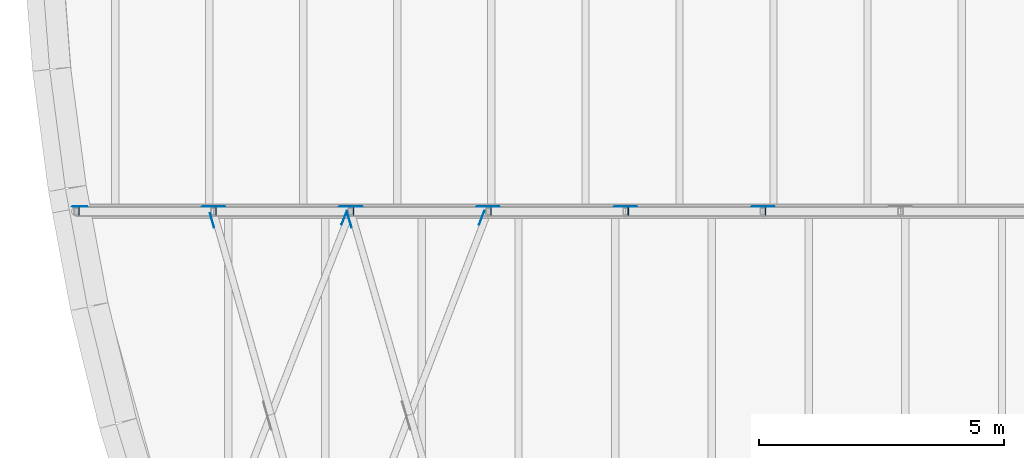
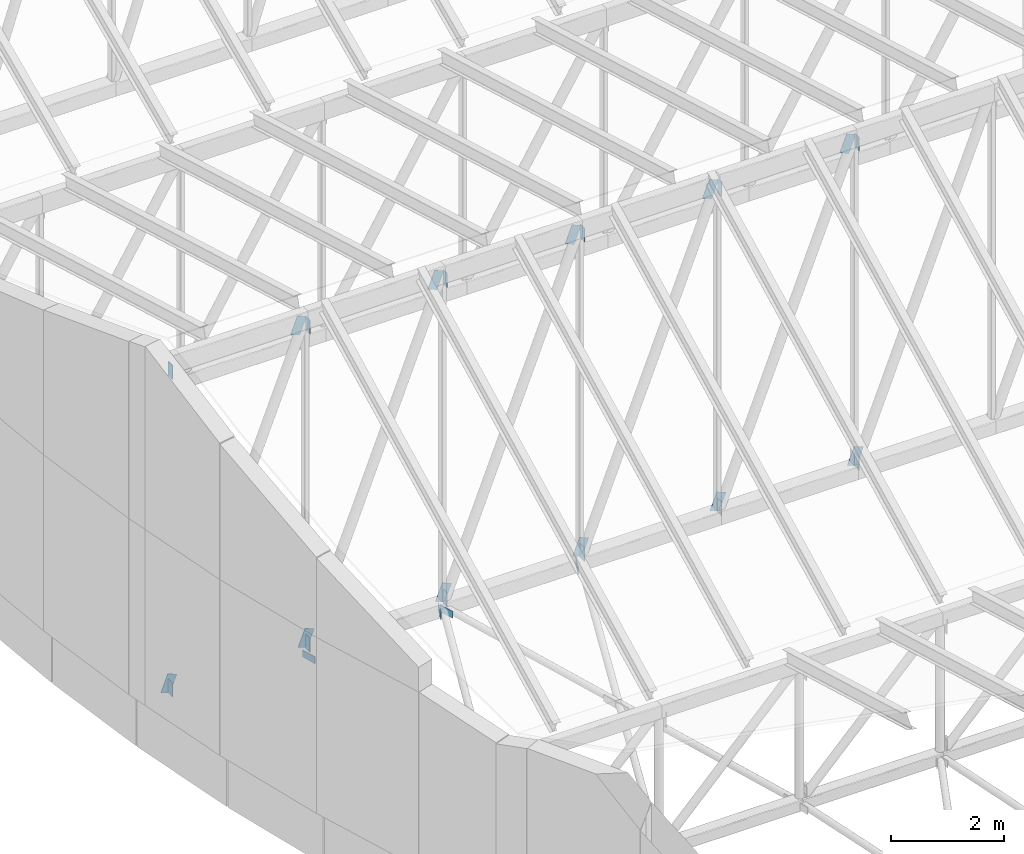
# One storey, part 48 of 68: 27 discrete accessories.
"""IFC4 building model written with IfcOpenShell, lengths in metres."""

from ifc_helpers import new_model, si_unit, direction, frame, origin, origin_2d, place, context, subcontext, project, spatial, rectangle, extrude, material, material_profile, profile_set, type_object, element, save


model = new_model("IFC4")

# Units and contexts
model_context = context("Model", 3, precision=1e-05, world=origin(), true_north=direction((0.0, 1.0)))
body_context = subcontext(model_context, "Body", "Model", "MODEL_VIEW")
ifc_project = project(units=[si_unit("LENGTHUNIT", "METRE"), si_unit("AREAUNIT", "SQUARE_METRE"), si_unit("VOLUMEUNIT", "CUBIC_METRE"), si_unit("PLANEANGLEUNIT", "RADIAN"), si_unit("MASSUNIT", "GRAM", prefix="KILO")], contexts=[model_context])

# Site, building, storey
site_placement = place(None, origin())
site = spatial("IfcSite", under=ifc_project, at=site_placement, CompositionType="ELEMENT")
building_placement = place(site_placement, origin())
building = spatial("IfcBuilding", under=site, at=building_placement, Name="Larchfold Concert Hall", CompositionType="ELEMENT")
storey_placement = place(building_placement, frame((0.0, 0.0, 28.800048828125)))
storey = spatial("IfcBuildingStorey", under=building, at=storey_placement, Name="L06", CompositionType="ELEMENT", Elevation=28.800048828125)

# Discrete accessories
ifc_material_1 = material(Name="Steel S355 galvanised bracket", Category="steel")
ifc_material_profile_1 = material_profile(ifc_material_1, rectangle(XDim=0.011962890625, YDim=0.14990234375, at=origin_2d()))
ifc_profile_set_1 = profile_set([ifc_material_profile_1], Name="Steel S355 galvanised bracket")
discrete_accessory_type_1 = type_object("IfcDiscreteAccessoryType", Name="Gusset plate 12x150", PredefinedType="BRACKET", material=ifc_profile_set_1)
for number, where, z_axis, x_axis, name in (
    (1, (18.8203125, 76.800048828125, 7.179931640625), (0.0, 0.0, -1.0), (1.0, 0.0, 0.0), "Gusset plate GP0235"),
    (2, (18.8203125, 76.800048828125, 0.320068359375), (0.0, 0.0, -1.0), (1.0, 0.0, 0.0), "Gusset plate GP0236"),
    (3, (21.62451171875, 76.800048828125, 7.179931640625), (0.0, 0.0, -1.0), (1.0, 0.0, 0.0), "Gusset plate GP0237"),
    (4, (21.62451171875, 76.800048828125, 0.300048828125), (0.0, 0.0, -1.0), (1.0, 0.0, 0.0), "Gusset plate GP0238"),
    (5, (24.4287109375, 76.800048828125, 7.199951171875), (0.0, 0.0, -1.0), (1.0, 0.0, 0.0), "Gusset plate GP0239"),
    (6, (24.4287109375, 76.800048828125, 0.300048828125), (0.0, 0.0, -1.0), (1.0, 0.0, 0.0), "Gusset plate GP0240"),
    (7, (27.23291015625, 76.800048828125, 7.199951171875), (0.0, 0.0, -1.0), (1.0, 0.0, 0.0), "Gusset plate GP0241"),
    (8, (27.23291015625, 76.800048828125, 0.300048828125), (0.0, 0.0, -1.0), (1.0, 0.0, 0.0), "Gusset plate GP0242"),
    (9, (30.037109375, 76.800048828125, 7.199951171875), (0.0, 0.0, -1.0), (1.0, 0.0, 0.0), "Gusset plate GP0243"),
    (10, (30.037109375, 76.800048828125, 0.300048828125), (0.0, 0.0, -1.0), (1.0, 0.0, 0.0), "Gusset plate GP0244"),
    (11, (32.84130859375, 76.800048828125, 7.199951171875), (0.0, 0.0, -1.0), (1.0, 0.0, 0.0), "Gusset plate GP0245"),
    (12, (32.84130859375, 76.800048828125, 0.300048828125), (0.0, 0.0, -1.0), (1.0, 0.0, 0.0), "Gusset plate GP0246"),
):
    element("IfcDiscreteAccessory", number, at=place(storey_placement, frame(where, z_axis=z_axis, x_axis=x_axis)), inside=storey, type_object=discrete_accessory_type_1, Name=name, PredefinedType="BRACKET", context=body_context, shape_type="SweptSolid", body=[
        extrude(rectangle(XDim=0.011962890625, YDim=0.14990234375, at=origin_2d()), origin(), (0.0, 0.0, 1.0), 0.300048828125),
    ])
discrete_accessory_1_placement = place(storey_placement, frame((24.185302734375, 76.530029296875, 0.0), z_axis=(0.36562717803, 0.930761390844, 0.0), x_axis=(-0.930761390844, 0.36562717803, 0.0)))
element("IfcDiscreteAccessory", 13, at=discrete_accessory_1_placement, inside=storey, type_object=discrete_accessory_type_1, Name="Gusset plate GP0578", PredefinedType="BRACKET", context=body_context, shape_type="SweptSolid", body=[
    extrude(rectangle(XDim=0.011962890625, YDim=0.14990234375, at=origin_2d()), origin(), (0.0, 0.0, 1.0), 0.2998046875),
])
discrete_accessory_2_placement = place(storey_placement, frame((21.582763671875, 76.471435546875, 0.0), z_axis=(-0.272464540386, 0.962165824706, 0.0), x_axis=(-0.962165824706, -0.272464540386, 0.0)))
element("IfcDiscreteAccessory", 14, at=discrete_accessory_2_placement, inside=storey, type_object=discrete_accessory_type_1, Name="Gusset plate GP0582", PredefinedType="BRACKET", context=body_context, shape_type="SweptSolid", body=[
    extrude(rectangle(XDim=0.011962890625, YDim=0.14990234375, at=origin_2d()), origin(), (0.0, 0.0, 1.0), 0.30029296875),
])
for number, where, z_axis, x_axis, name in (
    (15, (26.9912109375, 76.528564453125, 0.0), (0.359578666426, 0.93311477464, 0.0), (-0.93311477464, 0.359578666426, 0.0), "Gusset plate GP0584"),
    (16, (24.389404296875, 76.4716796875, 0.0), (-0.279124912547, 0.960254801183, 0.0), (-0.960254801183, -0.279124912547, 0.0), "Gusset plate GP0588"),
):
    element("IfcDiscreteAccessory", number, at=place(storey_placement, frame(where, z_axis=z_axis, x_axis=x_axis)), inside=storey, type_object=discrete_accessory_type_1, Name=name, PredefinedType="BRACKET", context=body_context, shape_type="SweptSolid", body=[
        extrude(rectangle(XDim=0.011962890625, YDim=0.14990234375, at=origin_2d()), origin(), (0.0, 0.0, 1.0), 0.300048828125),
    ])
ifc_material_2 = material(Name="Steel S355 galvanised bracket", Category="steel")
ifc_material_profile_2 = material_profile(ifc_material_2, rectangle(XDim=0.011962890625, YDim=0.199951171875, at=origin_2d()))
ifc_profile_set_2 = profile_set([ifc_material_profile_2], Name="Steel S355 galvanised bracket")
discrete_accessory_type_2 = type_object("IfcDiscreteAccessoryType", Name="Gusset plate 12x200", PredefinedType="BRACKET", material=ifc_profile_set_2)
for number, where, z_axis, x_axis, name in (
    (17, (18.771728515625, 76.90283203125, 0.0185546875), (0.36290227793, 0.0, 0.931827203227), (0.0, 1.0, 0.0), "Gusset plate GP0271"),
    (18, (21.420654296875, 76.90283203125, 6.8203125), (0.36290227793, 0.0, 0.931827203227), (0.0, 1.0, 0.0), "Gusset plate GP0272"),
    (19, (21.575927734375, 76.90283203125, 0.0185546875), (0.36290227793, 0.0, 0.931827203227), (0.0, 1.0, 0.0), "Gusset plate GP0273"),
    (20, (24.224853515625, 76.90283203125, 6.8203125), (0.36290227793, 0.0, 0.931827203227), (0.0, 1.0, 0.0), "Gusset plate GP0274"),
    (21, (24.380126953125, 76.90283203125, 0.0185546875), (0.36290227793, 0.0, 0.931827203227), (0.0, 1.0, 0.0), "Gusset plate GP0275"),
    (22, (27.029052734375, 76.90283203125, 6.8203125), (0.36290227793, 0.0, 0.931827203227), (0.0, 1.0, 0.0), "Gusset plate GP0276"),
    (23, (27.184326171875, 76.90283203125, 0.0185546875), (0.36290227793, 0.0, 0.931827203227), (0.0, 1.0, 0.0), "Gusset plate GP0277"),
    (24, (29.833251953125, 76.90283203125, 6.8203125), (0.36290227793, 0.0, 0.931827203227), (0.0, 1.0, 0.0), "Gusset plate GP0278"),
    (25, (29.988525390625, 76.90283203125, 0.0185546875), (0.36290227793, 0.0, 0.931827203227), (0.0, 1.0, 0.0), "Gusset plate GP0279"),
    (26, (32.637451171875, 76.90283203125, 6.8203125), (0.36290227793, 0.0, 0.931827203227), (0.0, 1.0, 0.0), "Gusset plate GP0280"),
    (27, (32.792724609375, 76.90283203125, 0.0185546875), (0.36290227793, 0.0, 0.931827203227), (0.0, 1.0, 0.0), "Gusset plate GP0281"),
):
    element("IfcDiscreteAccessory", number, at=place(storey_placement, frame(where, z_axis=z_axis, x_axis=x_axis)), inside=storey, type_object=discrete_accessory_type_2, Name=name, PredefinedType="BRACKET", context=body_context, shape_type="SweptSolid", body=[
        extrude(rectangle(XDim=0.011962890625, YDim=0.199951171875, at=origin_2d()), origin(), (0.0, 0.0, 1.0), 0.387451171875),
    ])

save(model, "model.ifc")
